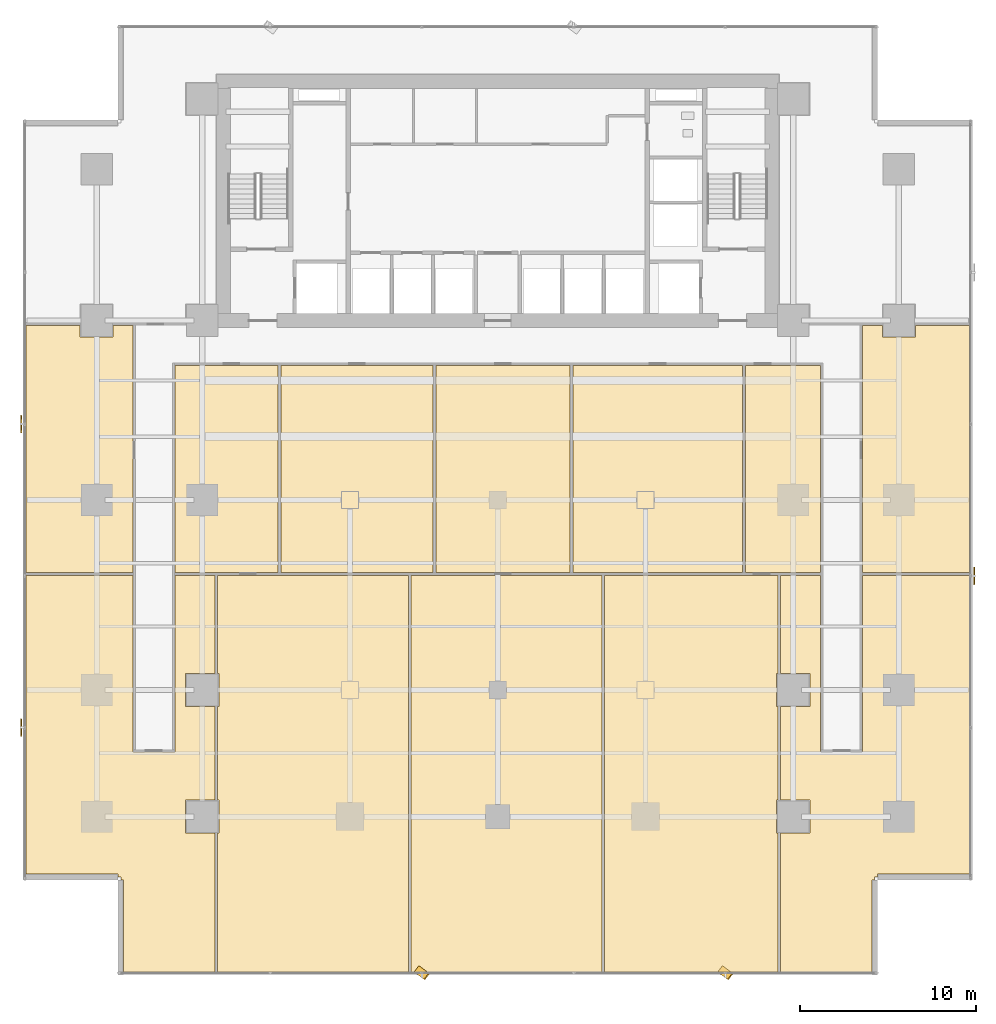
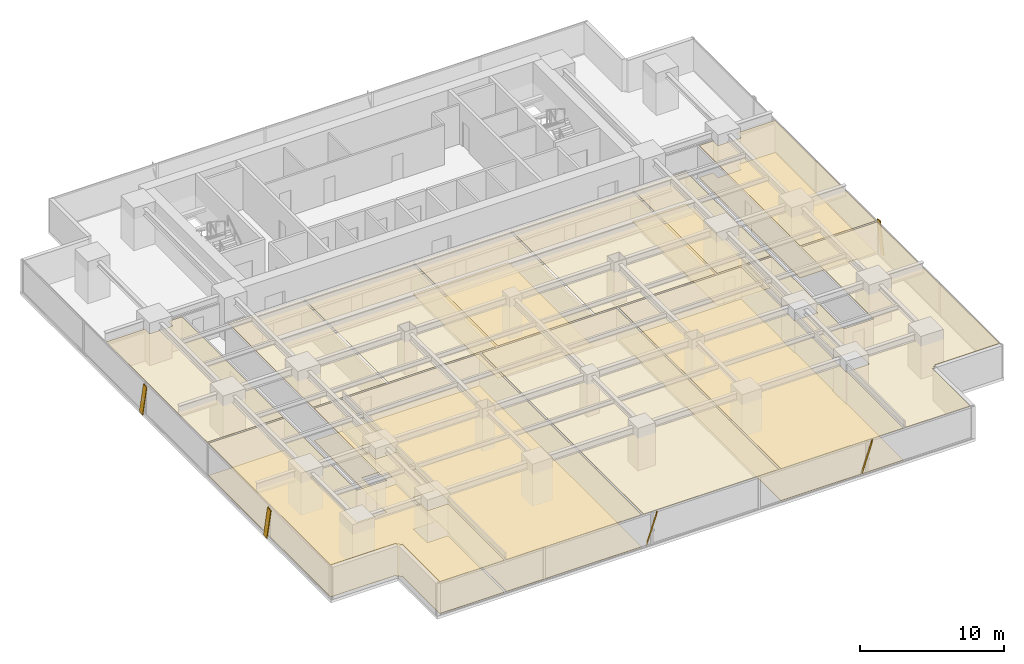
# One storey, part 29 of 33: 18 coverings, 5 shading devices.
"""IFC4 building model written with IfcOpenShell, lengths in metres."""

from ifc_helpers import new_model, si_unit, direction, frame, origin, origin_2d, place, context, subcontext, project, spatial, polyline, rectangle, outline, extrude, source, transform, mapped, material, layer, layer_set, material_profile, profile_set, type_object, element, save


model = new_model("IFC4")

# Units and contexts
model_context = context("Model", 3, precision=1e-05, world=origin(), true_north=direction((0.0, 1.0)))
body_context = subcontext(model_context, "Body", "Model", "MODEL_VIEW")
ifc_project = project(units=[si_unit("LENGTHUNIT", "METRE"), si_unit("AREAUNIT", "SQUARE_METRE"), si_unit("VOLUMEUNIT", "CUBIC_METRE"), si_unit("PLANEANGLEUNIT", "RADIAN"), si_unit("MASSUNIT", "GRAM", prefix="KILO")], contexts=[model_context])

# Site, building, storey
site_placement = place(None, origin())
site = spatial("IfcSite", under=ifc_project, at=site_placement, CompositionType="ELEMENT")
building_placement = place(site_placement, origin())
building = spatial("IfcBuilding", under=site, at=building_placement, Name="Sumidabori Civic Tower", CompositionType="ELEMENT")
storey_placement = place(building_placement, frame((0.0, 0.0, 27.199951171875)))
storey = spatial("IfcBuildingStorey", under=building, at=storey_placement, Name="L06", CompositionType="ELEMENT", Elevation=27.199951171875)

# Coverings
ifc_material_1 = material(Name="Acoustic Mineral Gypsum Ceiling Tile")
ifc_layer_1 = layer(ifc_material_1, 0.034912109375, Name="Acoustic Mineral Gypsum Ceiling Tile")
ifc_layer_set_1 = layer_set([ifc_layer_1], Name="Acoustic Mineral Gypsum Ceiling Tile")
covering_type_1 = type_object("IfcCoveringType", Name="CV-CEIL-AC1", PredefinedType="CEILING", material=ifc_layer_set_1)
covering_1_placement = place(storey_placement, frame((0.0, 0.0, 2.7099609375)))
element("IfcCovering", 1, at=covering_1_placement, inside=storey, type_object=covering_type_1, Name="Room Acoustic Ceiling L06-02", PredefinedType="CEILING", context=body_context, shape_type="SweptSolid", body=[
    extrude(outline(polyline([(-26.830078125, -4.1201171875), (-26.830078125, 9.919921875), (-23.739990234375, 9.919921875), (-23.739990234375, 9.260009765625), (-21.860107421875, 9.260009765625), (-21.860107421875, 9.919921875), (-20.739990234375, 9.919921875), (-20.739990234375, -4.1201171875), (-26.830078125, -4.1201171875)])), origin(), (0.0, 0.0, 1.0), 0.03515625),
])
covering_2_placement = place(storey_placement, frame((0.0, 0.0, 2.7099609375)))
element("IfcCovering", 2, at=covering_2_placement, inside=storey, type_object=covering_type_1, Name="Room Acoustic Ceiling L06-03", PredefinedType="CEILING", context=body_context, shape_type="SweptSolid", body=[
    extrude(outline(polyline([(20.739990234375, 9.919921875), (21.860107421875, 9.919921875), (21.860107421875, 9.260009765625), (23.739990234375, 9.260009765625), (23.739990234375, 9.919921875), (26.830078125, 9.919921875), (26.830078125, -4.1201171875), (20.739990234375, -4.1201171875), (20.739990234375, 9.919921875)])), origin(), (0.0, 0.0, 1.0), 0.03515625),
])
covering_3_placement = place(storey_placement, frame((0.0, 0.0, 2.7099609375)))
element("IfcCovering", 3, at=covering_3_placement, inside=storey, type_object=covering_type_1, Name="Room Acoustic Ceiling L06-04", PredefinedType="CEILING", context=body_context, shape_type="SweptSolid", body=[
    extrude(outline(polyline([(-18.360107421875, 7.659912109375), (-12.47998046875, 7.659912109375), (-12.47998046875, -4.1201171875), (-18.360107421875, -4.1201171875), (-18.360107421875, 7.659912109375)])), origin(), (0.0, 0.0, 1.0), 0.03515625),
])
covering_4_placement = place(storey_placement, frame((0.0, 0.0, 2.7099609375)))
element("IfcCovering", 4, at=covering_4_placement, inside=storey, type_object=covering_type_1, Name="Room Acoustic Ceiling L06-05", PredefinedType="CEILING", context=body_context, shape_type="SweptSolid", body=[
    extrude(outline(polyline([(14.080078125, 7.659912109375), (18.360107421875, 7.659912109375), (18.360107421875, -4.1201171875), (14.080078125, -4.1201171875), (14.080078125, 7.659912109375)])), origin(), (0.0, 0.0, 1.0), 0.03515625),
])
covering_5_placement = place(storey_placement, frame((0.0, 0.0, 2.7099609375)))
element("IfcCovering", 5, at=covering_5_placement, inside=storey, type_object=covering_type_1, Name="Room Acoustic Ceiling L06-06", PredefinedType="CEILING", context=body_context, shape_type="SweptSolid", body=[
    extrude(outline(polyline([(-12.320068359375, 7.659912109375), (-3.679931640625, 7.659912109375), (-3.679931640625, -4.1201171875), (-12.320068359375, -4.1201171875), (-12.320068359375, 7.659912109375)])), origin(), (0.0, 0.0, 1.0), 0.03515625),
])
covering_6_placement = place(storey_placement, frame((0.0, 0.0, 2.7099609375)))
element("IfcCovering", 6, at=covering_6_placement, inside=storey, type_object=covering_type_1, Name="Room Acoustic Ceiling L06-07", PredefinedType="CEILING", context=body_context, shape_type="SweptSolid", body=[
    extrude(outline(polyline([(-3.52001953125, 7.659912109375), (4.1201171875, 7.659912109375), (4.1201171875, -4.1201171875), (-3.52001953125, -4.1201171875), (-3.52001953125, 7.659912109375)])), origin(), (0.0, 0.0, 1.0), 0.03515625),
])
covering_7_placement = place(storey_placement, frame((0.0, 0.0, 2.7099609375)))
element("IfcCovering", 7, at=covering_7_placement, inside=storey, type_object=covering_type_1, Name="Room Acoustic Ceiling L06-08", PredefinedType="CEILING", context=body_context, shape_type="SweptSolid", body=[
    extrude(outline(polyline([(4.280029296875, 7.659912109375), (13.919921875, 7.659912109375), (13.919921875, -4.1201171875), (4.280029296875, -4.1201171875), (4.280029296875, 7.659912109375)])), origin(), (0.0, 0.0, 1.0), 0.03515625),
])
covering_8_placement = place(storey_placement, frame((0.0, 0.0, 2.7099609375)))
element("IfcCovering", 8, at=covering_8_placement, inside=storey, type_object=covering_type_1, Name="Room Acoustic Ceiling L06-09", PredefinedType="CEILING", context=body_context, shape_type="SweptSolid", body=[
    extrude(outline(polyline([(-26.830078125, -21.27197265625), (-26.830078125, -4.280029296875), (-20.739990234375, -4.280029296875), (-20.739990234375, -14.33251953125), (-20.724609375, -14.340087890625), (-18.360107421875, -14.340087890625), (-18.360107421875, -4.280029296875), (-16.080078125, -4.280029296875), (-16.080078125, -9.860107421875), (-17.739990234375, -9.860107421875), (-17.739990234375, -11.739990234375), (-16.080078125, -11.739990234375), (-16.080078125, -17.06005859375), (-17.739990234375, -17.06005859375), (-17.739990234375, -18.93994140625), (-16.080078125, -18.93994140625), (-16.080078125, -26.830078125), (-21.27197265625, -26.830078125), (-21.27197265625, -21.592041015625), (-21.429931640625, -21.592041015625), (-21.429931640625, -21.429931640625), (-21.592041015625, -21.429931640625), (-21.592041015625, -21.27197265625), (-26.830078125, -21.27197265625)])), origin(), (0.0, 0.0, 1.0), 0.03515625),
])
covering_9_placement = place(storey_placement, frame((0.0, 0.0, 2.7099609375)))
element("IfcCovering", 9, at=covering_9_placement, inside=storey, type_object=covering_type_1, Name="Room Acoustic Ceiling L06-10", PredefinedType="CEILING", context=body_context, shape_type="SweptSolid", body=[
    extrude(outline(polyline([(18.360107421875, -14.340087890625), (20.724609375, -14.340087890625), (20.739990234375, -14.33251953125), (20.739990234375, -4.280029296875), (26.830078125, -4.280029296875), (26.830078125, -21.27197265625), (21.592041015625, -21.27197265625), (21.592041015625, -21.429931640625), (21.429931640625, -21.429931640625), (21.429931640625, -21.592041015625), (21.27197265625, -21.592041015625), (21.27197265625, -26.830078125), (16.080078125, -26.830078125), (16.080078125, -18.93994140625), (17.739990234375, -18.93994140625), (17.739990234375, -17.06005859375), (16.080078125, -17.06005859375), (16.080078125, -11.739990234375), (17.739990234375, -11.739990234375), (17.739990234375, -9.860107421875), (16.080078125, -9.860107421875), (16.080078125, -4.280029296875), (18.360107421875, -4.280029296875), (18.360107421875, -14.340087890625)])), origin(), (0.0, 0.0, 1.0), 0.03515625),
])
covering_10_placement = place(storey_placement, frame((0.0, 0.0, 2.7099609375)))
element("IfcCovering", 10, at=covering_10_placement, inside=storey, type_object=covering_type_1, Name="Room Acoustic Ceiling L06-11", PredefinedType="CEILING", context=body_context, shape_type="SweptSolid", body=[
    extrude(outline(polyline([(-15.860107421875, -17.06005859375), (-15.919921875, -17.06005859375), (-15.919921875, -11.739990234375), (-15.860107421875, -11.739990234375), (-15.860107421875, -9.860107421875), (-15.919921875, -9.860107421875), (-15.919921875, -4.280029296875), (-5.080078125, -4.280029296875), (-5.080078125, -26.830078125), (-15.919921875, -26.830078125), (-15.919921875, -18.93994140625), (-15.860107421875, -18.93994140625), (-15.860107421875, -17.06005859375)])), origin(), (0.0, 0.0, 1.0), 0.03515625),
])
covering_11_placement = place(storey_placement, frame((0.0, 0.0, 2.7099609375)))
element("IfcCovering", 11, at=covering_11_placement, inside=storey, type_object=covering_type_1, Name="Room Acoustic Ceiling L06-12", PredefinedType="CEILING", context=body_context, shape_type="SweptSolid", body=[
    extrude(outline(polyline([(5.919921875, -26.830078125), (-4.919921875, -26.830078125), (-4.919921875, -4.280029296875), (5.919921875, -4.280029296875), (5.919921875, -26.830078125)])), origin(), (0.0, 0.0, 1.0), 0.03515625),
])
covering_12_placement = place(storey_placement, frame((0.0, 0.0, 2.7099609375)))
element("IfcCovering", 12, at=covering_12_placement, inside=storey, type_object=covering_type_1, Name="Room Acoustic Ceiling L06-13", PredefinedType="CEILING", context=body_context, shape_type="SweptSolid", body=[
    extrude(outline(polyline([(15.919921875, -18.93994140625), (15.919921875, -26.830078125), (6.080078125, -26.830078125), (6.080078125, -4.280029296875), (15.919921875, -4.280029296875), (15.919921875, -9.860107421875), (15.860107421875, -9.860107421875), (15.860107421875, -11.739990234375), (15.919921875, -11.739990234375), (15.919921875, -17.06005859375), (15.860107421875, -17.06005859375), (15.860107421875, -18.93994140625), (15.919921875, -18.93994140625)])), origin(), (0.0, 0.0, 1.0), 0.03515625),
])
ifc_material_2 = material(Name="Honed Terrazzo Tile Flooring")
ifc_layer_2 = layer(ifc_material_2, 0.030029296875, Name="Honed Terrazzo Tile Flooring")
ifc_layer_set_2 = layer_set([ifc_layer_2], Name="Honed Terrazzo Tile Flooring")
covering_type_2 = type_object("IfcCoveringType", Name="CV-FLR-TER", PredefinedType="FLOORING", material=ifc_layer_set_2)
covering_13_placement = place(storey_placement, origin())
element("IfcCovering", 13, at=covering_13_placement, inside=storey, type_object=covering_type_2, Name="Room Terrazzo Floor L06-03", PredefinedType="FLOORING", context=body_context, shape_type="SweptSolid", body=[
    extrude(outline(polyline([(20.739990234375, 9.919921875), (21.860107421875, 9.919921875), (21.860107421875, 9.260009765625), (23.739990234375, 9.260009765625), (23.739990234375, 9.919921875), (26.830078125, 9.919921875), (26.830078125, -4.1201171875), (20.739990234375, -4.1201171875), (20.739990234375, 9.919921875)])), origin(), (0.0, 0.0, 1.0), 0.030029296875),
])
covering_14_placement = place(storey_placement, origin())
element("IfcCovering", 14, at=covering_14_placement, inside=storey, type_object=covering_type_2, Name="Room Terrazzo Floor L06-05", PredefinedType="FLOORING", context=body_context, shape_type="SweptSolid", body=[
    extrude(outline(polyline([(14.080078125, 7.659912109375), (18.360107421875, 7.659912109375), (18.360107421875, -4.1201171875), (14.080078125, -4.1201171875), (14.080078125, 7.659912109375)])), origin(), (0.0, 0.0, 1.0), 0.030029296875),
])
covering_15_placement = place(storey_placement, origin())
element("IfcCovering", 15, at=covering_15_placement, inside=storey, type_object=covering_type_2, Name="Room Terrazzo Floor L06-07", PredefinedType="FLOORING", context=body_context, shape_type="SweptSolid", body=[
    extrude(outline(polyline([(-3.52001953125, 7.659912109375), (4.1201171875, 7.659912109375), (4.1201171875, -4.1201171875), (-3.52001953125, -4.1201171875), (-3.52001953125, 7.659912109375)])), origin(), (0.0, 0.0, 1.0), 0.030029296875),
])
covering_16_placement = place(storey_placement, origin())
element("IfcCovering", 16, at=covering_16_placement, inside=storey, type_object=covering_type_2, Name="Room Terrazzo Floor L06-09", PredefinedType="FLOORING", context=body_context, shape_type="SweptSolid", body=[
    extrude(outline(polyline([(-26.830078125, -21.27197265625), (-26.830078125, -4.280029296875), (-20.739990234375, -4.280029296875), (-20.739990234375, -14.33251953125), (-20.724609375, -14.340087890625), (-18.360107421875, -14.340087890625), (-18.360107421875, -4.280029296875), (-16.080078125, -4.280029296875), (-16.080078125, -9.860107421875), (-17.739990234375, -9.860107421875), (-17.739990234375, -11.739990234375), (-16.080078125, -11.739990234375), (-16.080078125, -17.06005859375), (-17.739990234375, -17.06005859375), (-17.739990234375, -18.93994140625), (-16.080078125, -18.93994140625), (-16.080078125, -26.830078125), (-21.27197265625, -26.830078125), (-21.27197265625, -21.592041015625), (-21.429931640625, -21.592041015625), (-21.429931640625, -21.429931640625), (-21.592041015625, -21.429931640625), (-21.592041015625, -21.27197265625), (-26.830078125, -21.27197265625)])), origin(), (0.0, 0.0, 1.0), 0.030029296875),
])
covering_17_placement = place(storey_placement, origin())
element("IfcCovering", 17, at=covering_17_placement, inside=storey, type_object=covering_type_2, Name="Room Terrazzo Floor L06-11", PredefinedType="FLOORING", context=body_context, shape_type="SweptSolid", body=[
    extrude(outline(polyline([(-15.860107421875, -17.06005859375), (-15.919921875, -17.06005859375), (-15.919921875, -11.739990234375), (-15.860107421875, -11.739990234375), (-15.860107421875, -9.860107421875), (-15.919921875, -9.860107421875), (-15.919921875, -4.280029296875), (-5.080078125, -4.280029296875), (-5.080078125, -26.830078125), (-15.919921875, -26.830078125), (-15.919921875, -18.93994140625), (-15.860107421875, -18.93994140625), (-15.860107421875, -17.06005859375)])), origin(), (0.0, 0.0, 1.0), 0.030029296875),
])
covering_18_placement = place(storey_placement, origin())
element("IfcCovering", 18, at=covering_18_placement, inside=storey, type_object=covering_type_2, Name="Room Terrazzo Floor L06-13", PredefinedType="FLOORING", context=body_context, shape_type="SweptSolid", body=[
    extrude(outline(polyline([(15.919921875, -18.93994140625), (15.919921875, -26.830078125), (6.080078125, -26.830078125), (6.080078125, -4.280029296875), (15.919921875, -4.280029296875), (15.919921875, -9.860107421875), (15.860107421875, -9.860107421875), (15.860107421875, -11.739990234375), (15.919921875, -11.739990234375), (15.919921875, -17.06005859375), (15.860107421875, -17.06005859375), (15.860107421875, -18.93994140625), (15.919921875, -18.93994140625)])), origin(), (0.0, 0.0, 1.0), 0.030029296875),
])

# Shading devices
ifc_material_3 = material(Name="Anodised Bronze Aluminium AW-6063-T6", Category="aluminium")
ifc_material_profile = material_profile(ifc_material_3, rectangle(XDim=0.06005859375, YDim=0.449951171875, at=origin_2d()), Name="BRONZE FIN 450x60")
ifc_profile_set = profile_set([ifc_material_profile], Name="Anodised Bronze Aluminium AW-6063-T6")
shading_device_type = type_object("IfcShadingDeviceType", Name="SH-FIN-450", PredefinedType="USERDEFINED", material=ifc_profile_set)
shared_shape_1 = source(origin(), body_context, "Body", "SweptSolid", [
    extrude(rectangle(XDim=0.06005859375, YDim=0.449951171875, at=origin_2d()), origin(), (0.0, 0.0, 1.0), 2.769775390625),
])
for number, where, z_axis, x_axis, name in (
    (19, (-4.593994140625, -26.669921875, 0.02001953125), (0.202195931323, -0.151691019096, 0.967526041035), (0.773939855131, -0.580623579198, -0.252771358975), "Bronze Anodised Diagonal Fin L06-02"),
    (20, (12.662109375, -26.669921875, 0.02001953125), (0.20211139135, -0.151693721986, 0.967543280787), (0.773832092044, -0.580795913828, -0.252705361643), "Bronze Anodised Diagonal Fin L06-04"),
):
    element("IfcShadingDevice", number, at=place(storey_placement, frame(where, z_axis=z_axis, x_axis=x_axis)), inside=storey, type_object=shading_device_type, Name=name, ObjectType="FIN", PredefinedType="USERDEFINED", context=body_context, shape_type="MappedRepresentation", body=[
        mapped(shared_shape_1, transform((0.0, 0.0, 0.0), x_axis=(1.0, 0.0, 0.0), y_axis=(0.0, 1.0, 0.0), z_axis=(0.0, 0.0, 1.0), scale=1.0)),
    ])
shared_shape_2 = source(origin(), body_context, "Body", "SweptSolid", [
    extrude(rectangle(XDim=0.06005859375, YDim=0.449951171875, at=origin_2d()), origin(), (0.0, 0.0, 1.0), 2.73779296875),
])
for number, where, z_axis, x_axis, name in (
    (21, (27.090087890625, -4.593994140625, 0.02001953125), (0.0, 0.204563143937, 0.978853370093), (-1.0, 0.0, 0.0), "Bronze Anodised Diagonal Fin L06-02"),
    (22, (-27.090087890625, 4.593994140625, 0.02001953125), (0.0, -0.204563143937, 0.978853370093), (-1.0, 0.0, 0.0), "Bronze Anodised Diagonal Fin L06-02"),
    (23, (-27.090087890625, -12.662109375, 0.02001953125), (0.0, -0.204477700022, 0.978871222477), (-1.0, 0.0, 0.0), "Bronze Anodised Diagonal Fin L06-04"),
):
    element("IfcShadingDevice", number, at=place(storey_placement, frame(where, z_axis=z_axis, x_axis=x_axis)), inside=storey, type_object=shading_device_type, Name=name, ObjectType="FIN", PredefinedType="USERDEFINED", context=body_context, shape_type="MappedRepresentation", body=[
        mapped(shared_shape_2, transform((0.0, 0.0, 0.0), x_axis=(1.0, 0.0, 0.0), y_axis=(0.0, 1.0, 0.0), z_axis=(0.0, 0.0, 1.0), scale=1.0)),
    ])

save(model, "model.ifc")
